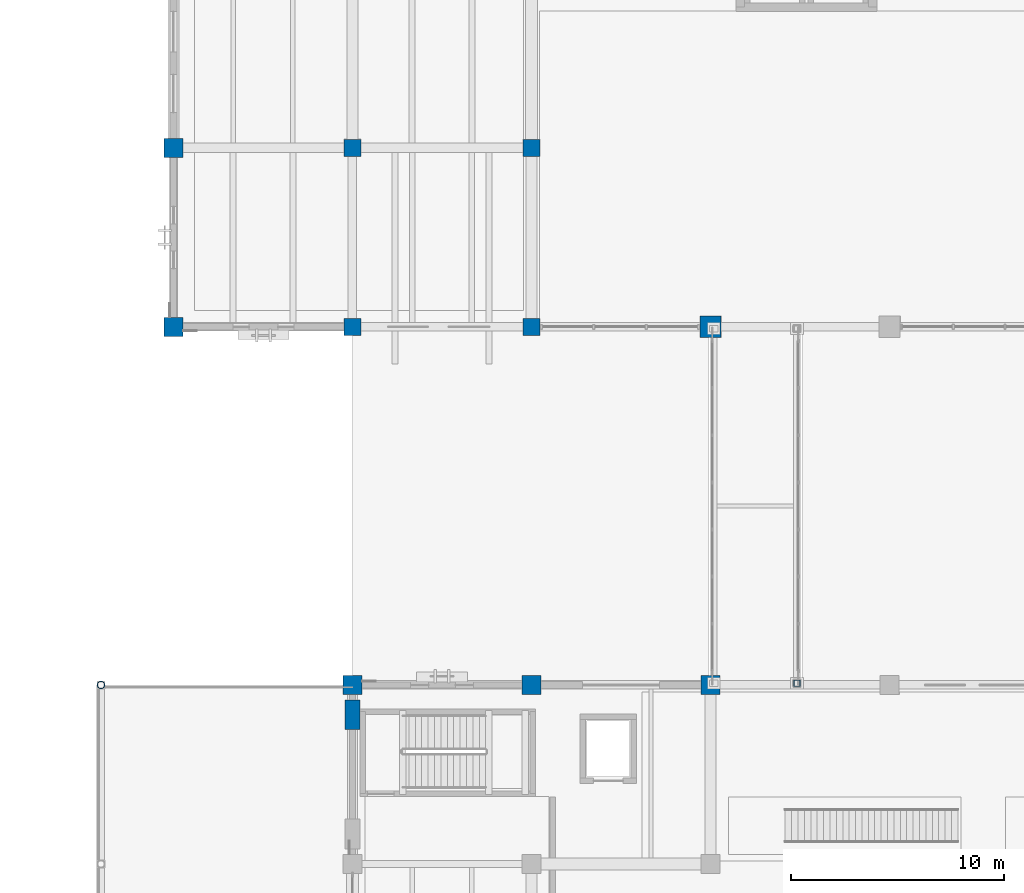
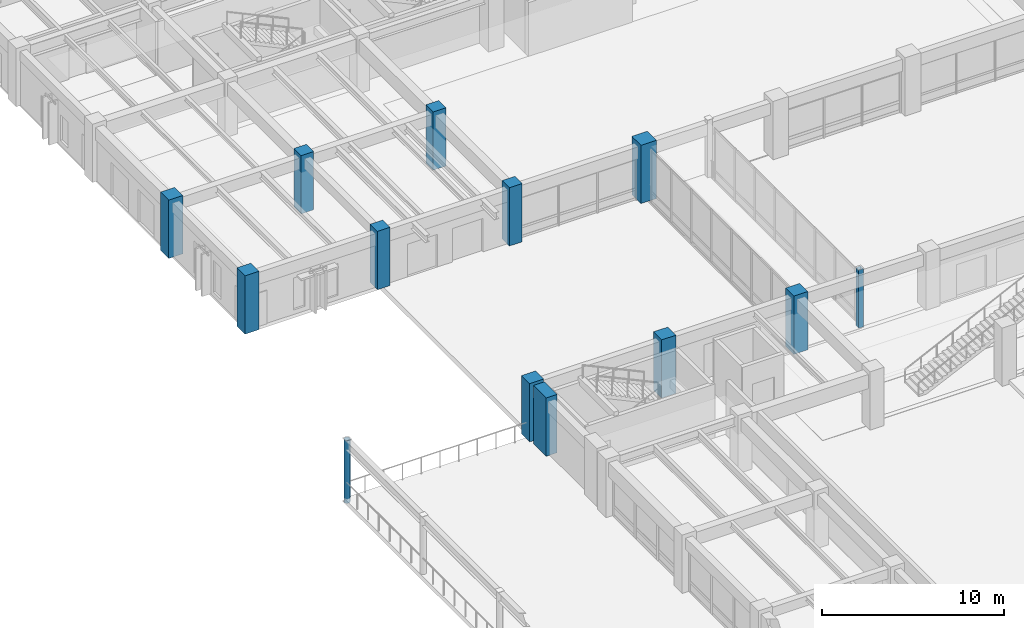
# One storey, part 9 of 135: 13 columns.
"""IFC4 building model written with IfcOpenShell, lengths in metres."""

from ifc_helpers import new_model, si_unit, direction, frame, origin, origin_2d, place, context, subcontext, project, spatial, rectangle, hollow_rectangle, hollow_circle, extrude, material, material_profile, profile_set, type_object, element, save


model = new_model("IFC4")

# Units and contexts
model_context = context("Model", 3, precision=1e-05, world=origin(), true_north=direction((0.0, 1.0)))
body_context = subcontext(model_context, "Body", "Model", "MODEL_VIEW")
ifc_project = project(units=[si_unit("LENGTHUNIT", "METRE"), si_unit("AREAUNIT", "SQUARE_METRE"), si_unit("VOLUMEUNIT", "CUBIC_METRE"), si_unit("PLANEANGLEUNIT", "RADIAN"), si_unit("MASSUNIT", "GRAM", prefix="KILO")], contexts=[model_context])

# Site, building, storey
site_placement = place(None, origin())
site = spatial("IfcSite", under=ifc_project, at=site_placement, CompositionType="ELEMENT")
building_placement = place(site_placement, origin())
building = spatial("IfcBuilding", under=site, at=building_placement, Name="Cumbredor Promenade Congress Hotel", CompositionType="ELEMENT")
storey_placement = place(building_placement, origin())
storey = spatial("IfcBuildingStorey", under=building, at=storey_placement, Name="L00", CompositionType="ELEMENT", Elevation=0.0)

# Columns
ifc_material_1 = material(Name="Concrete C50/60", Category="concrete")
ifc_material_profile_1 = material_profile(ifc_material_1, rectangle(XDim=1.0, YDim=1.0, at=origin_2d()), Name="RC 1000x1000")
ifc_profile_set_1 = profile_set([ifc_material_profile_1], Name="Concrete C50/60")
column_type_1 = type_object("IfcColumnType", Name="COL-RC-1000", PredefinedType="COLUMN", material=ifc_profile_set_1)
column_1_placement = place(storey_placement, frame((25.199951171875, 84.0, 0.0), z_axis=(0.0, 0.0, 1.0), x_axis=(1.0, 0.0, 0.0)))
element("IfcColumn", 1, at=column_1_placement, inside=storey, type_object=column_type_1, Name="L00 Structural Column 036", PredefinedType="COLUMN", context=body_context, shape_type="SweptSolid", body=[
    extrude(rectangle(XDim=1.0, YDim=1.0, at=origin_2d()), origin(), (0.0, 0.0, 1.0), 3.919921875),
])
ifc_material_profile_2 = material_profile(ifc_material_1, rectangle(XDim=0.800048828125, YDim=0.800048828125, at=origin_2d()), Name="RC 800x800")
ifc_profile_set_2 = profile_set([ifc_material_profile_2], Name="Concrete C50/60")
column_type_2 = type_object("IfcColumnType", Name="COL-RC-800", PredefinedType="COLUMN", material=ifc_profile_set_2)
for number, where, z_axis, x_axis, name in (
    (2, (8.39990234375, 84.0, 0.0), (0.0, 0.0, 1.0), (1.0, 0.0, 0.0), "L00 Structural Column 014"),
    (3, (8.39990234375, 92.39990234375, 0.0), (0.0, 0.0, 1.0), (1.0, 0.0, 0.0), "L00 Structural Column 015"),
    (4, (16.800048828125, 84.0, 0.0), (0.0, 0.0, 1.0), (1.0, 0.0, 0.0), "L00 Structural Column 027"),
    (5, (16.800048828125, 92.39990234375, 0.0), (0.0, 0.0, 1.0), (1.0, 0.0, 0.0), "L00 Structural Column 028"),
):
    element("IfcColumn", number, at=place(storey_placement, frame(where, z_axis=z_axis, x_axis=x_axis)), inside=storey, type_object=column_type_2, Name=name, PredefinedType="COLUMN", context=body_context, shape_type="SweptSolid", body=[
        extrude(rectangle(XDim=0.800048828125, YDim=0.800048828125, at=origin_2d()), origin(), (0.0, 0.0, 1.0), 3.919921875),
    ])
ifc_material_profile_3 = material_profile(ifc_material_1, rectangle(XDim=0.89990234375, YDim=0.89990234375, at=origin_2d()), Name="RC 900x900")
ifc_profile_set_3 = profile_set([ifc_material_profile_3], Name="Concrete C50/60")
column_type_3 = type_object("IfcColumnType", Name="COL-RC-900", PredefinedType="COLUMN", material=ifc_profile_set_3)
for number, where, z_axis, x_axis, name in (
    (6, (0.0, 84.0, 0.0), (0.0, 0.0, 1.0), (1.0, 0.0, 0.0), "L00 Structural Column 001"),
    (7, (0.0, 92.39990234375, 0.0), (0.0, 0.0, 1.0), (1.0, 0.0, 0.0), "L00 Structural Column 002"),
    (8, (8.39990234375, 67.199951171875, 0.0), (0.0, 0.0, 1.0), (1.0, 0.0, 0.0), "L00 Structural Column 013"),
    (9, (16.800048828125, 67.199951171875, 0.0), (0.0, 0.0, 1.0), (1.0, 0.0, 0.0), "L00 Structural Column 026"),
    (10, (25.199951171875, 67.199951171875, 0.0), (0.0, 0.0, 1.0), (1.0, 0.0, 0.0), "L00 Structural Column 035"),
):
    element("IfcColumn", number, at=place(storey_placement, frame(where, z_axis=z_axis, x_axis=x_axis)), inside=storey, type_object=column_type_3, Name=name, PredefinedType="COLUMN", context=body_context, shape_type="SweptSolid", body=[
        extrude(rectangle(XDim=0.89990234375, YDim=0.89990234375, at=origin_2d()), origin(), (0.0, 0.0, 1.0), 3.919921875),
    ])
ifc_material_2 = material(Name="Steel ASTM A500 Grade C", Category="steel")
ifc_material_profile_4 = material_profile(ifc_material_2, hollow_circle(Radius=0.177734375, WallThickness=0.01611328125, at=origin_2d()), Name="CHS 355.6x16")
ifc_profile_set_4 = profile_set([ifc_material_profile_4], Name="Steel ASTM A500 Grade C")
column_type_4 = type_object("IfcColumnType", Name="COL-STL-CHS355", PredefinedType="COLUMN", material=ifc_profile_set_4)
column_2_placement = place(storey_placement, frame((-3.39990234375, 67.199951171875, -0.300048828125), z_axis=(0.0, 0.0, 1.0), x_axis=(1.0, 0.0, 0.0)))
element("IfcColumn", 11, at=column_2_placement, inside=storey, type_object=column_type_4, Name="Promenade Colonnade Column TC-008", PredefinedType="COLUMN", context=body_context, shape_type="SweptSolid", body=[
    extrude(hollow_circle(Radius=0.177734375, WallThickness=0.01611328125, at=origin_2d()), origin(), (0.0, 0.0, 1.0), 4.219970703125),
])
ifc_material_profile_5 = material_profile(ifc_material_2, hollow_rectangle(XDim=0.300048828125, YDim=0.300048828125, WallThickness=0.01611328125, at=origin_2d()), Name="HSS 300x300x16")
ifc_profile_set_5 = profile_set([ifc_material_profile_5], Name="Steel ASTM A500 Grade C")
column_type_5 = type_object("IfcColumnType", Name="COL-STL-HSS300", PredefinedType="COLUMN", material=ifc_profile_set_5)
column_3_placement = place(storey_placement, frame((29.25, 67.280029296875, 0.0), z_axis=(0.0, 0.0, 1.0), x_axis=(1.0, 0.0, 0.0)))
element("IfcColumn", 12, at=column_3_placement, inside=storey, type_object=column_type_5, Name="L00 West Congress-to-Hotel Glazed Bridge Support Column 2", PredefinedType="COLUMN", context=body_context, shape_type="SweptSolid", body=[
    extrude(hollow_rectangle(XDim=0.300048828125, YDim=0.300048828125, WallThickness=0.01611328125, at=origin_2d()), origin(), (0.0, 0.0, 1.0), 3.919921875),
])
ifc_material_profile_6 = material_profile(ifc_material_1, rectangle(XDim=0.699951171875, YDim=1.39990234375, at=origin_2d()), Name="RC PILASTER 1400x700")
ifc_profile_set_6 = profile_set([ifc_material_profile_6], Name="Concrete C50/60")
column_type_6 = type_object("IfcColumnType", Name="PIL-RC-1400x700", PredefinedType="PILASTER", material=ifc_profile_set_6)
column_4_placement = place(storey_placement, frame((8.39990234375, 65.800048828125, 0.0), z_axis=(0.0, 0.0, 1.0), x_axis=(1.0, 0.0, 0.0)))
element("IfcColumn", 13, at=column_4_placement, inside=storey, type_object=column_type_6, Name="L00 Acoustic Seismic Pilaster 020", PredefinedType="PILASTER", context=body_context, shape_type="SweptSolid", body=[
    extrude(rectangle(XDim=0.699951171875, YDim=1.39990234375, at=origin_2d()), origin(), (0.0, 0.0, 1.0), 3.919921875),
])

save(model, "model.ifc")
